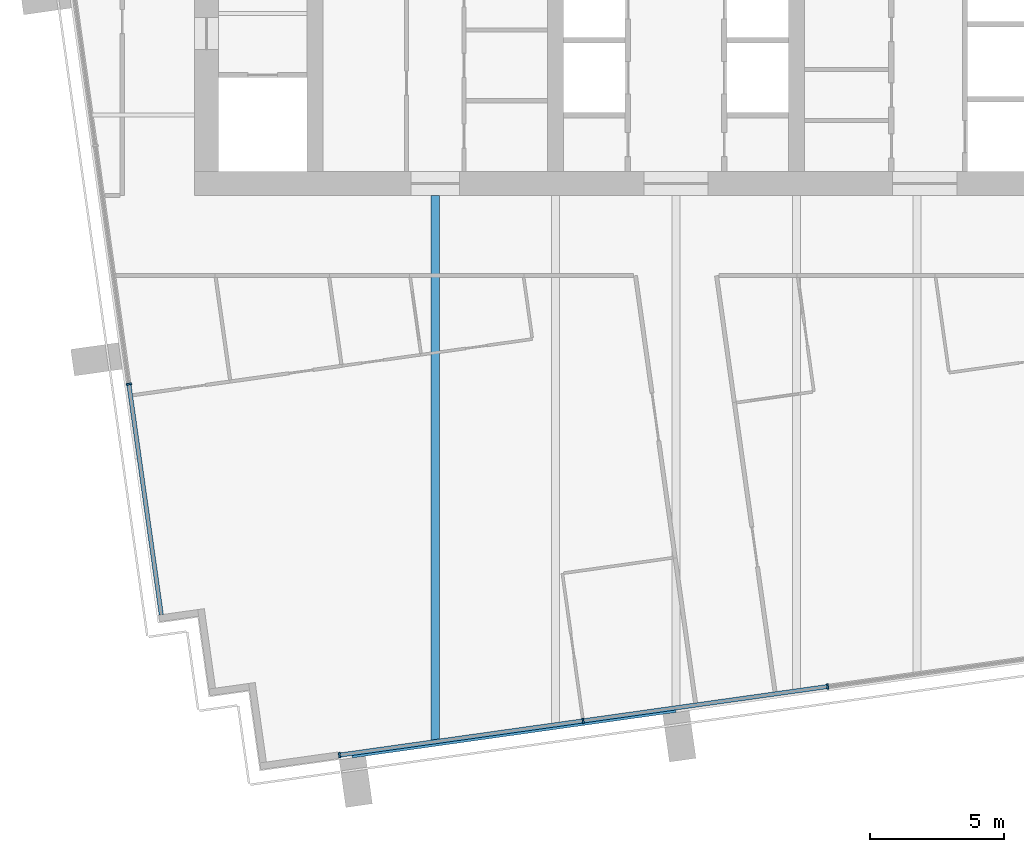
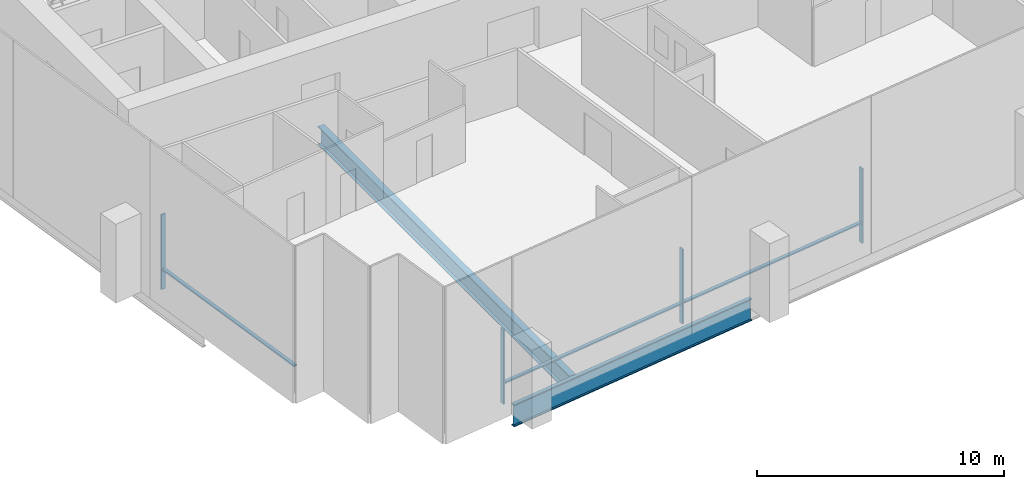
# One storey, part 2 of 17: 7 members, 2 beams, 2 elements without a shape of their own.
"""IFC4 building model written with IfcOpenShell, lengths in metres."""

import ifcopenshell
import ifcopenshell.guid

model = None  # the IFC model being written
_history = None  # IfcOwnerHistory: only IFC2X3 demands one
_inside = {}  # id of a spatial element -> (the spatial element, [elements in it])
_under = {}  # id of a project, library or spatial element -> (it, [spatial elements below it])
_declared = {}  # id of a project -> (the project, [libraries it declares])
_typed = {}  # id of a type object -> (the type object, [elements of that type])
_made_of = {}  # id of a material, layer set ... -> (it, [elements and type objects made of it])


def new_model(schema):
    """Start an empty IFC model of exactly this schema.

    Asked for "IFC4X3", IfcOpenShell would pick the latest addendum, in which some entities
    have other attributes; the version numbers below select the first issue.
    IFC2X3 requires an IfcOwnerHistory on every rooted entity: one is made here for all.
    """
    global model, _history
    if schema == "IFC4X3":
        model = ifcopenshell.file(schema_version=(4, 3, 0, 0))
    else:
        model = ifcopenshell.file(schema=schema)
    _inside.clear()
    _under.clear()
    _declared.clear()
    _typed.clear()
    _made_of.clear()
    _history = None
    if model.schema == "IFC2X3":
        org = make("IfcOrganization", Name="unknown")
        user = make(
            "IfcPersonAndOrganization",
            ThePerson=make("IfcPerson", FamilyName="unknown"),
            TheOrganization=org,
        )
        app = make(
            "IfcApplication",
            ApplicationDeveloper=org,
            Version="unknown",
            ApplicationFullName="unknown",
            ApplicationIdentifier="unknown",
        )
        _history = make(
            "IfcOwnerHistory",
            OwningUser=user,
            OwningApplication=app,
            ChangeAction="ADDED",
            CreationDate=0,
        )
    return model


def make(cls, **values):
    """One entity of the class cls with the attributes given. An attribute that is None is left unset."""
    return model.create_entity(
        cls, **{name: value for name, value in values.items() if value is not None}
    )


def rooted(cls, **values):
    """An entity with a GlobalId (a new one), such as an element, a storey or a relation."""
    return make(cls, GlobalId=ifcopenshell.guid.new(), OwnerHistory=_history, **values)


def si_unit(unit_type, name, prefix=None):
    """IfcSIUnit, for example si_unit("LENGTHUNIT", "METRE", prefix="MILLI")."""
    return make("IfcSIUnit", UnitType=unit_type, Prefix=prefix, Name=name)


def assignment(units):
    """IfcUnitAssignment: the units of a project."""
    return None if units is None else make("IfcUnitAssignment", Units=units)


def point(xyz):
    """IfcCartesianPoint."""
    return None if xyz is None else make("IfcCartesianPoint", Coordinates=xyz)


def direction(xyz):
    """IfcDirection."""
    return None if xyz is None else make("IfcDirection", DirectionRatios=xyz)


def frame(location, z_axis=None, x_axis=None):
    """IfcAxis2Placement3D, a coordinate frame: its origin and axes. An axis left out is left unset."""
    return make(
        "IfcAxis2Placement3D",
        Location=point(location),
        Axis=direction(z_axis),
        RefDirection=direction(x_axis),
    )


def frame_2d(location, x_axis=None):
    """IfcAxis2Placement2D, a coordinate frame in the plane: its origin and x axis."""
    return make(
        "IfcAxis2Placement2D", Location=point(location), RefDirection=direction(x_axis)
    )


def origin():
    """The frame at (0, 0, 0) with its axes left unset."""
    return frame((0.0, 0.0, 0.0))


def origin_2d():
    """The frame at (0, 0) in the plane with its x axis left unset."""
    return frame_2d((0.0, 0.0))


def place(relative_to, where):
    """IfcLocalPlacement: puts the frame where relative to a parent placement (None: the world)."""
    return make(
        "IfcLocalPlacement", PlacementRelTo=relative_to, RelativePlacement=where
    )


def context(
    kind, dimensions, precision=None, world=None, true_north=None, identifier=None
):
    """IfcGeometricRepresentationContext, for example the 3D "Model" context."""
    return make(
        "IfcGeometricRepresentationContext",
        ContextIdentifier=identifier,
        ContextType=kind,
        CoordinateSpaceDimension=dimensions,
        Precision=precision,
        WorldCoordinateSystem=world,
        TrueNorth=true_north,
    )


def subcontext(parent, identifier, kind, view, scale=None):
    """IfcGeometricRepresentationSubContext, for example "Body" below "Model"."""
    return make(
        "IfcGeometricRepresentationSubContext",
        ContextIdentifier=identifier,
        ContextType=kind,
        ParentContext=parent,
        TargetScale=scale,
        TargetView=view,
    )


def project(units=None, contexts=None):
    """IfcProject with its units and contexts."""
    return rooted(
        "IfcProject",
        Name="project",
        RepresentationContexts=contexts,
        UnitsInContext=assignment(units),
    )


def spatial(cls, under=None, at=None, **own):
    """A site, building, storey or space (cls), placed at a placement, below another one or the project."""
    s = rooted(cls, ObjectPlacement=at, **own)
    if under is not None:
        _under.setdefault(under.id(), (under, []))[1].append(s)
    return s


def profile(cls, at=None, kind="AREA", **sizes):
    """A parametric profile (cls). Its sizes go by their IFC names, for example OverallWidth=200.0."""
    return make(cls, ProfileType=kind, Position=at, **sizes)


def rectangle(**sizes):
    """IfcRectangleProfileDef."""
    return profile("IfcRectangleProfileDef", **sizes)


def i_section(**sizes):
    """IfcIShapeProfileDef."""
    return profile("IfcIShapeProfileDef", **sizes)


def extrude(swept, where, along, depth):
    """IfcExtrudedAreaSolid: the profile swept, set in the frame where, extruded along a direction by depth."""
    return make(
        "IfcExtrudedAreaSolid",
        SweptArea=swept,
        Position=where,
        ExtrudedDirection=direction(along),
        Depth=depth,
    )


def shape(context_of_items, identifier, shape_type, items):
    """IfcShapeRepresentation: the items that make up one representation, for example the "Body"."""
    return make(
        "IfcShapeRepresentation",
        ContextOfItems=context_of_items,
        RepresentationIdentifier=identifier,
        RepresentationType=shape_type,
        Items=items,
    )


def material(Name=None, Category=None):
    """IfcMaterial."""
    return make("IfcMaterial", Name=Name, Category=Category)


def layer(
    of_material, thickness, ventilated=None, Name=None, Category=None, Priority=None
):
    """IfcMaterialLayer: one layer of a wall or slab, of a material (None: an air gap)."""
    return make(
        "IfcMaterialLayer",
        Material=of_material,
        LayerThickness=thickness,
        IsVentilated=ventilated,
        Name=Name,
        Category=Category,
        Priority=Priority,
    )


def layer_set(layers, Name=None):
    """IfcMaterialLayerSet."""
    return make("IfcMaterialLayerSet", MaterialLayers=layers, LayerSetName=Name)


def material_profile(
    of_material, cross_section, Name=None, Category=None, Priority=None
):
    """IfcMaterialProfile: a cross section and its material."""
    return make(
        "IfcMaterialProfile",
        Name=Name,
        Material=of_material,
        Profile=cross_section,
        Priority=Priority,
        Category=Category,
    )


def profile_set(profiles, Name=None, composite=None):
    """IfcMaterialProfileSet."""
    return make(
        "IfcMaterialProfileSet",
        Name=Name,
        MaterialProfiles=profiles,
        CompositeProfile=composite,
    )


def made_of(thing, what):
    """Note that an element or type object is made of a material, layer set ...; save() writes the relation."""
    if what is not None:
        _made_of.setdefault(what.id(), (what, []))[1].append(thing)
    return thing


def type_object(cls, material=None, **own):
    """A type object (cls), such as IfcWallType, which elements share."""
    return made_of(rooted(cls, **own), material)


def element(
    cls,
    number,
    at=None,
    inside=None,
    cuts=None,
    type_object=None,
    material=None,
    context=None,
    identifier="Body",
    shape_type=None,
    held_by="IfcProductDefinitionShape",
    body=None,
    shapes=None,
    **own,
):
    """One element of the class cls, such as IfcWall. Its Tag is "e" and its number.

    at: its placement. inside: the storey or other place that contains it. cuts: it is an
    opening in that element (IfcRelVoidsElement). A single representation is given by context,
    identifier, shape_type and body (its items); several are given by shapes. held_by: the class
    of the entity that holds the representations. save() writes the other relations.
    """
    e = rooted(cls, Tag="e%d" % number, ObjectPlacement=at, **own)
    if body is not None:
        shapes = [shape(context, identifier, shape_type, body)]
    if shapes is not None:
        e.Representation = make(held_by, Representations=shapes)
    if inside is not None:
        _inside.setdefault(inside.id(), (inside, []))[1].append(e)
    if cuts is not None:
        rooted(
            "IfcRelVoidsElement", RelatingBuildingElement=cuts, RelatedOpeningElement=e
        )
    if type_object is not None:
        _typed.setdefault(type_object.id(), (type_object, []))[1].append(e)
    return made_of(e, material)


def aggregate(whole, parts):
    """IfcRelAggregates: a whole, such as a stair, and the parts it consists of."""
    return rooted("IfcRelAggregates", RelatingObject=whole, RelatedObjects=parts)


def save(model, path):
    """Write the relations noted so far, then the file.

    IfcRelAggregates (storeys below a building ...), IfcRelContainedInSpatialStructure (elements
    in a storey), IfcRelDefinesByType, IfcRelAssociatesMaterial and IfcRelDeclares: one each for
    every whole, place, type object, material and project.
    """
    for whole, parts in _under.values():
        aggregate(whole, parts)
    for where, things in _inside.values():
        rooted(
            "IfcRelContainedInSpatialStructure",
            RelatedElements=things,
            RelatingStructure=where,
        )
    for kind, things in _typed.values():
        rooted("IfcRelDefinesByType", RelatedObjects=things, RelatingType=kind)
    for what, things in _made_of.values():
        rooted("IfcRelAssociatesMaterial", RelatedObjects=things, RelatingMaterial=what)
    for by, libraries in _declared.values():
        rooted("IfcRelDeclares", RelatingContext=by, RelatedDefinitions=libraries)
    model.write(path)


model = new_model("IFC4")

# Units and contexts
model_context = context("Model", 3, precision=1e-05, world=origin(), true_north=direction((0.0, 1.0)))
body_context = subcontext(model_context, "Body", "Model", "MODEL_VIEW")
ifc_project = project(units=[si_unit("LENGTHUNIT", "METRE"), si_unit("AREAUNIT", "SQUARE_METRE"), si_unit("VOLUMEUNIT", "CUBIC_METRE"), si_unit("PLANEANGLEUNIT", "RADIAN"), si_unit("MASSUNIT", "GRAM", prefix="KILO")], contexts=[model_context])

# Site, building, storey
site_placement = place(None, origin())
site = spatial("IfcSite", under=ifc_project, at=site_placement, CompositionType="ELEMENT")
building_placement = place(site_placement, origin())
building = spatial("IfcBuilding", under=site, at=building_placement, Name="Rattan Terrace Tower", CompositionType="ELEMENT")
storey_placement = place(building_placement, frame((0.0, 0.0, 225.199951171875)))
storey = spatial("IfcBuildingStorey", under=building, at=storey_placement, Name="L51", CompositionType="ELEMENT", Elevation=225.199951171875)

# Beams
ifc_material_1 = material(Name="Steel S460", Category="steel")
ifc_material_profile_1 = material_profile(ifc_material_1, i_section(OverallWidth=0.179931640625, OverallDepth=1.10009765625, WebThickness=0.01611328125, FlangeThickness=0.050048828125, at=origin_2d()), Name="PG 1100x180-16-50")
ifc_profile_set_1 = profile_set([ifc_material_profile_1], Name="Steel S460")
beam_type_1 = type_object("IfcBeamType", Name="Frame edge girder PG 1100x180-16-50", PredefinedType="SPANDREL", material=ifc_profile_set_1)
beam_1_placement = place(storey_placement, frame((-12.10888671875, -28.43603515625, -0.75), z_axis=(0.990268332234, 0.139171226104, 0.0), x_axis=(-0.139171226104, 0.990268332234, 0.0)))
element("IfcBeam", 1, at=beam_1_placement, inside=storey, type_object=beam_type_1, Name="gdr-L51-001", PredefinedType="SPANDREL", context=body_context, shape_type="SweptSolid", body=[
    extrude(i_section(OverallWidth=0.179931640625, OverallDepth=1.10009765625, WebThickness=0.01611328125, FlangeThickness=0.050048828125, at=origin_2d()), origin(), (0.0, 0.0, 1.0), 12.21484375),
])
ifc_material_2 = material(Name="Steel S460", Category="steel")
ifc_material_profile_2 = material_profile(ifc_material_2, i_section(OverallWidth=0.300048828125, OverallDepth=0.89990234375, WebThickness=0.013916015625, FlangeThickness=0.035888671875, at=origin_2d()), Name="PG 900x300-14-36")
ifc_profile_set_2 = profile_set([ifc_material_profile_2], Name="Steel S460")
beam_type_2 = type_object("IfcBeamType", Name="Frame floor beam PG 900x300-14-36", PredefinedType="JOIST", material=ifc_profile_set_2)
beam_2_placement = place(storey_placement, frame((-9.0, -27.886962890625, -0.64990234375), z_axis=(0.0, 1.0, 0.0), x_axis=(-1.0, 0.0, 0.0)))
element("IfcBeam", 2, at=beam_2_placement, inside=storey, type_object=beam_type_2, Name="bm-L51-003", PredefinedType="JOIST", context=body_context, shape_type="SweptSolid", body=[
    extrude(i_section(OverallWidth=0.300048828125, OverallDepth=0.89990234375, WebThickness=0.013916015625, FlangeThickness=0.035888671875, at=origin_2d()), origin(), (0.0, 0.0, 1.0), 20.386962890625),
])

# Curtain wall, member
ifc_material_3 = material(Name="Aluminium and laminated glass", Category="aluminium")
ifc_layer = layer(ifc_material_3, 0.199951171875)
ifc_layer_set = layer_set([ifc_layer], Name="High-Zone Unitised Curtain Wall")
curtain_wall_type = type_object("IfcCurtainWallType", Name="High-Zone Unitised Curtain Wall", PredefinedType="NOTDEFINED", material=ifc_layer_set)
curtain_wall_1_placement = place(storey_placement, origin())
curtain_wall_1 = element("IfcCurtainWall", 3, at=curtain_wall_1_placement, inside=storey, type_object=curtain_wall_type, Name="High-zone curtain wall L51-3", PredefinedType="NOTDEFINED")
ifc_material_4 = material(Name="Aluminium", Category="aluminium")
ifc_material_profile_3 = material_profile(ifc_material_4, rectangle(XDim=0.070068359375, YDim=0.199951171875, at=origin_2d()), Name="Aluminium 70x200")
ifc_profile_set_3 = profile_set([ifc_material_profile_3], Name="Aluminium")
member_type_1 = type_object("IfcMemberType", Name="High-Zone CW Mullion 70x200", PredefinedType="MULLION", material=ifc_profile_set_3)
member_1_placement = place(storey_placement, frame((-20.452392578125, -14.551025390625, 0.0), z_axis=(0.0, 0.0, 1.0), x_axis=(0.139186165309, -0.990266232579, 0.0)))
member_1 = element("IfcMember", 4, at=member_1_placement, type_object=member_type_1, Name="Mullion cwl-L51-003.3", PredefinedType="MULLION", context=body_context, shape_type="SweptSolid", body=[
    extrude(rectangle(XDim=0.070068359375, YDim=0.199951171875, at=origin_2d()), origin(), (0.0, 0.0, 1.0), 3.699951171875),
])

# Curtain wall, members
curtain_wall_2_placement = place(storey_placement, origin())
curtain_wall_2 = element("IfcCurtainWall", 5, at=curtain_wall_2_placement, inside=storey, type_object=curtain_wall_type, Name="High-zone curtain wall L51-4", PredefinedType="NOTDEFINED")
member_2_placement = place(storey_placement, frame((-12.580078125, -28.4208984375, 0.0), z_axis=(0.0, 0.0, 1.0), x_axis=(0.990267457022, 0.139177453499, 0.0)))
member_2 = element("IfcMember", 6, at=member_2_placement, type_object=member_type_1, Name="Mullion cwl-L51-004.1", PredefinedType="MULLION", context=body_context, shape_type="SweptSolid", body=[
    extrude(rectangle(XDim=0.070068359375, YDim=0.199951171875, at=origin_2d()), origin(), (0.0, 0.0, 1.0), 3.699951171875),
])
member_3_placement = place(storey_placement, frame((-3.473388671875, -27.140869140625, 0.0), z_axis=(0.0, 0.0, 1.0), x_axis=(0.990267457022, 0.139177453499, 0.0)))
member_3 = element("IfcMember", 7, at=member_3_placement, type_object=member_type_1, Name="Mullion cwl-L51-004.2", PredefinedType="MULLION", context=body_context, shape_type="SweptSolid", body=[
    extrude(rectangle(XDim=0.070068359375, YDim=0.199951171875, at=origin_2d()), origin(), (0.0, 0.0, 1.0), 3.699951171875),
])
member_4_placement = place(storey_placement, frame((5.667724609375, -25.856201171875, 0.0), z_axis=(0.0, 0.0, 1.0), x_axis=(0.990267457022, 0.139177453499, 0.0)))
member_4 = element("IfcMember", 8, at=member_4_placement, type_object=member_type_1, Name="Mullion cwl-L51-004.3", PredefinedType="MULLION", context=body_context, shape_type="SweptSolid", body=[
    extrude(rectangle(XDim=0.070068359375, YDim=0.199951171875, at=origin_2d()), origin(), (0.0, 0.0, 1.0), 3.699951171875),
])

# Member
ifc_material_5 = material(Name="Aluminium", Category="aluminium")
ifc_material_profile_4 = material_profile(ifc_material_5, rectangle(XDim=0.159912109375, YDim=0.070068359375, at=origin_2d()), Name="Aluminium 160x70")
ifc_profile_set_4 = profile_set([ifc_material_profile_4], Name="Aluminium")
member_type_2 = type_object("IfcMemberType", Name="High-Zone CW Transom 160x70", PredefinedType="USERDEFINED", material=ifc_profile_set_4)
member_5_placement = place(storey_placement, frame((-20.447509765625, -14.585693359375, 1.0), z_axis=(0.139193563319, -0.990265192729, 0.0), x_axis=(0.990265192729, 0.139193563319, 0.0)))
member_5 = element("IfcMember", 9, at=member_5_placement, type_object=member_type_2, Name="Transom cwl-L51-003.3", ObjectType="TRANSOM", PredefinedType="USERDEFINED", context=body_context, shape_type="SweptSolid", body=[
    extrude(rectangle(XDim=0.159912109375, YDim=0.070068359375, at=origin_2d()), origin(), (0.0, 0.0, 1.0), 8.669921875),
])

aggregate(curtain_wall_1, [member_1, member_5])

member_6_placement = place(storey_placement, frame((-12.54541015625, -28.416015625, 1.0), z_axis=(0.990265856778, 0.139188838988, 0.0), x_axis=(-0.139188838988, 0.990265856778, 0.0)))
member_6 = element("IfcMember", 10, at=member_6_placement, type_object=member_type_2, Name="Transom cwl-L51-004.1", ObjectType="TRANSOM", PredefinedType="USERDEFINED", context=body_context, shape_type="SweptSolid", body=[
    extrude(rectangle(XDim=0.159912109375, YDim=0.070068359375, at=origin_2d()), origin(), (0.0, 0.0, 1.0), 9.126220703125),
])

member_7_placement = place(storey_placement, frame((-3.438720703125, -27.135986328125, 1.0), z_axis=(0.990268863305, 0.13916744723, 0.0), x_axis=(-0.13916744723, 0.990268863305, 0.0)))
member_7 = element("IfcMember", 11, at=member_7_placement, type_object=member_type_2, Name="Transom cwl-L51-004.2", ObjectType="TRANSOM", PredefinedType="USERDEFINED", context=body_context, shape_type="SweptSolid", body=[
    extrude(rectangle(XDim=0.159912109375, YDim=0.070068359375, at=origin_2d()), origin(), (0.0, 0.0, 1.0), 9.160888671875),
])

aggregate(curtain_wall_2, [member_2, member_3, member_4, member_6, member_7])

save(model, "model.ifc")
